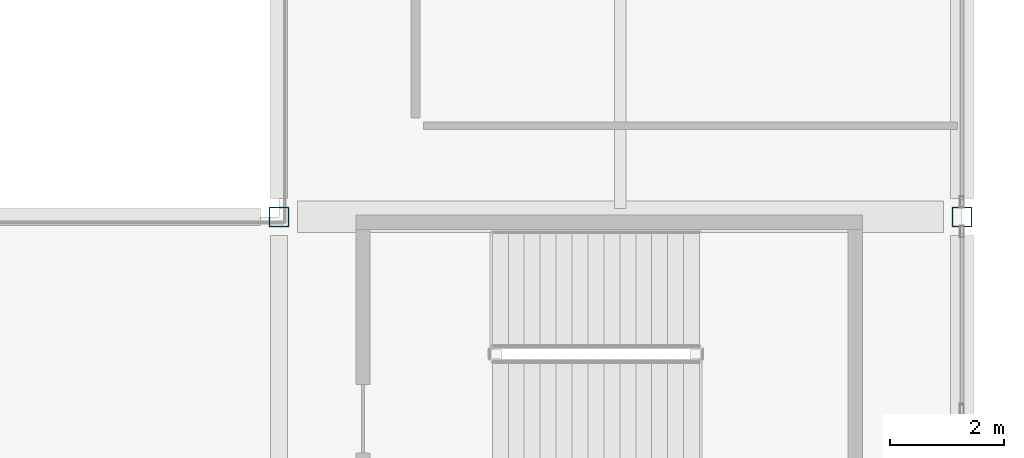
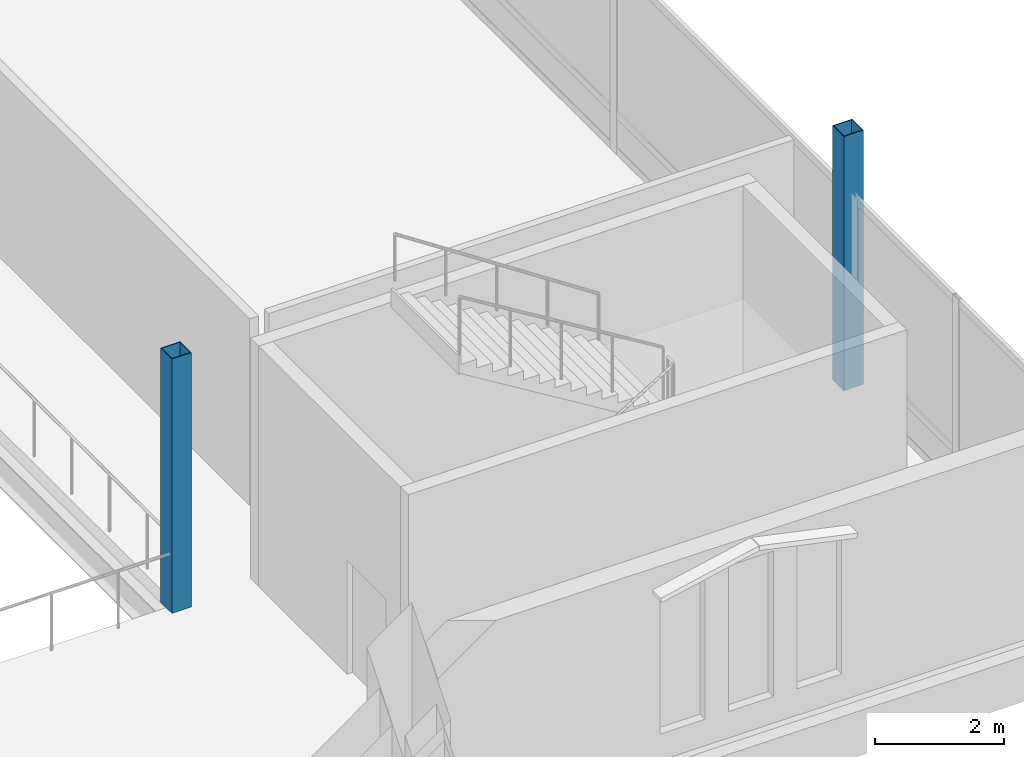
# One storey, part 14 of 193: 2 columns.
"""IFC4 building model written with IfcOpenShell, lengths in metres."""

from ifc_helpers import new_model, si_unit, direction, frame, origin, origin_2d, place, context, subcontext, project, spatial, hollow_rectangle, extrude, material, material_profile, profile_set, type_object, element, save


model = new_model("IFC4")

# Units and contexts
model_context = context("Model", 3, precision=1e-05, world=origin(), true_north=direction((0.0, 1.0)))
body_context = subcontext(model_context, "Body", "Model", "MODEL_VIEW")
ifc_project = project(units=[si_unit("LENGTHUNIT", "METRE"), si_unit("AREAUNIT", "SQUARE_METRE"), si_unit("VOLUMEUNIT", "CUBIC_METRE"), si_unit("PLANEANGLEUNIT", "RADIAN"), si_unit("MASSUNIT", "GRAM", prefix="KILO")], contexts=[model_context])

# Site, building, storey
site_placement = place(None, origin())
site = spatial("IfcSite", under=ifc_project, at=site_placement, CompositionType="ELEMENT")
building_placement = place(site_placement, origin())
building = spatial("IfcBuilding", under=site, at=building_placement, Name="Cendralis Lancet Convention Centre", CompositionType="ELEMENT")
storey_placement = place(building_placement, frame((0.0, 0.0, 10.199951171875)))
storey = spatial("IfcBuildingStorey", under=building, at=storey_placement, Name="L02", CompositionType="ELEMENT", Elevation=10.199951171875)

# Columns
ifc_material = material(Name="Steel S355", Category="steel")
ifc_material_profile_1 = material_profile(ifc_material, hollow_rectangle(XDim=0.35009765625, YDim=0.35009765625, WallThickness=0.01611328125, at=origin_2d()), Name="SHS 350x350x16.0")
ifc_profile_set_1 = profile_set([ifc_material_profile_1], Name="Steel S355")
column_type_1 = type_object("IfcColumnType", Name="STR-COL-C29", PredefinedType="COLUMN", material=ifc_profile_set_1)
column_1_placement = place(storey_placement, frame((208.800048828125, 50.39990234375, 0.0), z_axis=(0.0, 0.0, 1.0), x_axis=(1.0, 0.0, 0.0)))
element("IfcColumn", 1, at=column_1_placement, inside=storey, type_object=column_type_1, Name="L02 Column C29 at 208.8,50.4", PredefinedType="COLUMN", context=body_context, shape_type="SweptSolid", body=[
    extrude(hollow_rectangle(XDim=0.35009765625, YDim=0.35009765625, WallThickness=0.01611328125, at=origin_2d()), origin(), (0.0, 0.0, 1.0), 4.800048828125),
])
ifc_material_profile_2 = material_profile(ifc_material, hollow_rectangle(XDim=0.35009765625, YDim=0.35009765625, WallThickness=0.01611328125, at=origin_2d()), Name="SHS 350x350x16.0")
ifc_profile_set_2 = profile_set([ifc_material_profile_2], Name="Steel S355")
column_type_2 = type_object("IfcColumnType", Name="STR-COL-C29-INT", PredefinedType="COLUMN", material=ifc_profile_set_2)
column_2_placement = place(storey_placement, frame((196.800048828125, 50.39990234375, 0.0), z_axis=(0.0, 0.0, 1.0), x_axis=(1.0, 0.0, 0.0)))
element("IfcColumn", 2, at=column_2_placement, inside=storey, type_object=column_type_2, Name="L02 Column C29 at 196.8,50.4", PredefinedType="COLUMN", context=body_context, shape_type="SweptSolid", body=[
    extrude(hollow_rectangle(XDim=0.35009765625, YDim=0.35009765625, WallThickness=0.01611328125, at=origin_2d()), origin(), (0.0, 0.0, 1.0), 4.800048828125),
])

save(model, "model.ifc")
